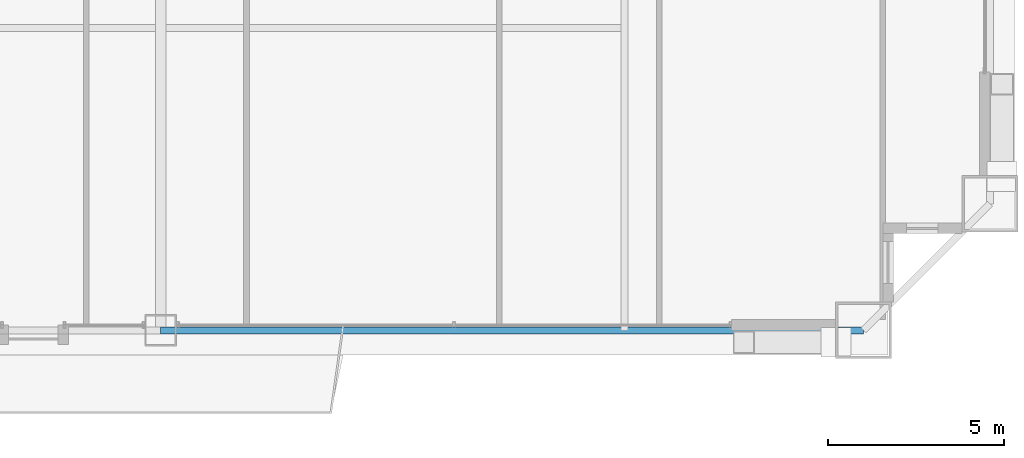
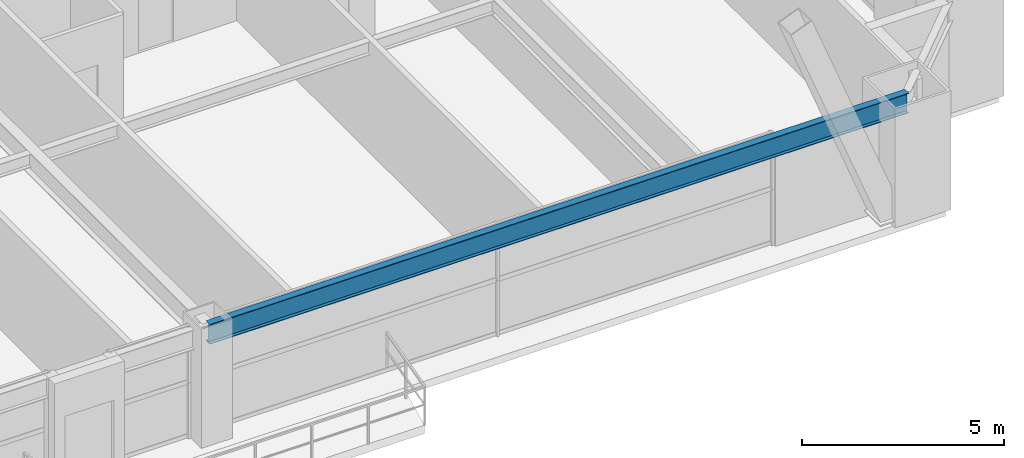
# One storey, part 15 of 43: 1 beam.
"""IFC4 building model written with IfcOpenShell, lengths in metres."""

from ifc_helpers import new_model, si_unit, direction, frame, origin, origin_2d, place, context, subcontext, project, spatial, i_section, extrude, source, transform, mapped, material, material_profile, profile_set, type_object, element, save


model = new_model("IFC4")

# Units and contexts
model_context = context("Model", 3, precision=1e-05, world=origin(), true_north=direction((0.0, 1.0)))
body_context = subcontext(model_context, "Body", "Model", "MODEL_VIEW")
ifc_project = project(units=[si_unit("LENGTHUNIT", "METRE"), si_unit("AREAUNIT", "SQUARE_METRE"), si_unit("VOLUMEUNIT", "CUBIC_METRE"), si_unit("PLANEANGLEUNIT", "RADIAN"), si_unit("MASSUNIT", "GRAM", prefix="KILO"), si_unit("THERMODYNAMICTEMPERATUREUNIT", "KELVIN"), si_unit("POWERUNIT", "WATT")], contexts=[model_context])

# Site, building, storey
site_placement = place(None, origin())
site = spatial("IfcSite", under=ifc_project, at=site_placement, CompositionType="ELEMENT")
building_placement = place(site_placement, origin())
building = spatial("IfcBuilding", under=site, at=building_placement, Name="Yuzanri Waterfront Tower", CompositionType="ELEMENT")
storey_placement = place(building_placement, frame((0.0, 0.0, 93.800048828125)))
storey = spatial("IfcBuildingStorey", under=building, at=storey_placement, Name="L24", CompositionType="ELEMENT", Elevation=93.800048828125)

# Beam
ifc_material = material(Name="Steel Q355B", Category="steel")
ifc_material_profile = material_profile(ifc_material, i_section(OverallWidth=0.199951171875, OverallDepth=0.60009765625, WebThickness=0.010986328125, FlangeThickness=0.01708984375, at=origin_2d()), Name="HN 600x200x11x17")
ifc_profile_set = profile_set([ifc_material_profile], Name="Steel Q355B")
beam_type = type_object("IfcBeamType", Name="Perimeter Spandrel Q355B HN 600x200", PredefinedType="SPANDREL", material=ifc_profile_set)
shared_shape = source(origin(), body_context, "Body", "SweptSolid", [
    extrude(i_section(OverallWidth=0.199951171875, OverallDepth=0.60009765625, WebThickness=0.010986328125, FlangeThickness=0.01708984375, at=origin_2d()), origin(), (0.0, 0.0, 1.0), 20.0),
])
beam_placement = place(storey_placement, frame((37.0, 2.199951171875, 3.079833984375), z_axis=(1.0, 0.0, 0.0), x_axis=(0.0, 1.0, 0.0)))
element("IfcBeam", 1, at=beam_placement, inside=storey, type_object=beam_type, Name="L24 Perimeter Spandrel S2-S3", PredefinedType="SPANDREL", context=body_context, shape_type="MappedRepresentation", body=[
    mapped(shared_shape, transform((0.0, 0.0, 0.0), scale=1.0)),
])

save(model, "model.ifc")
